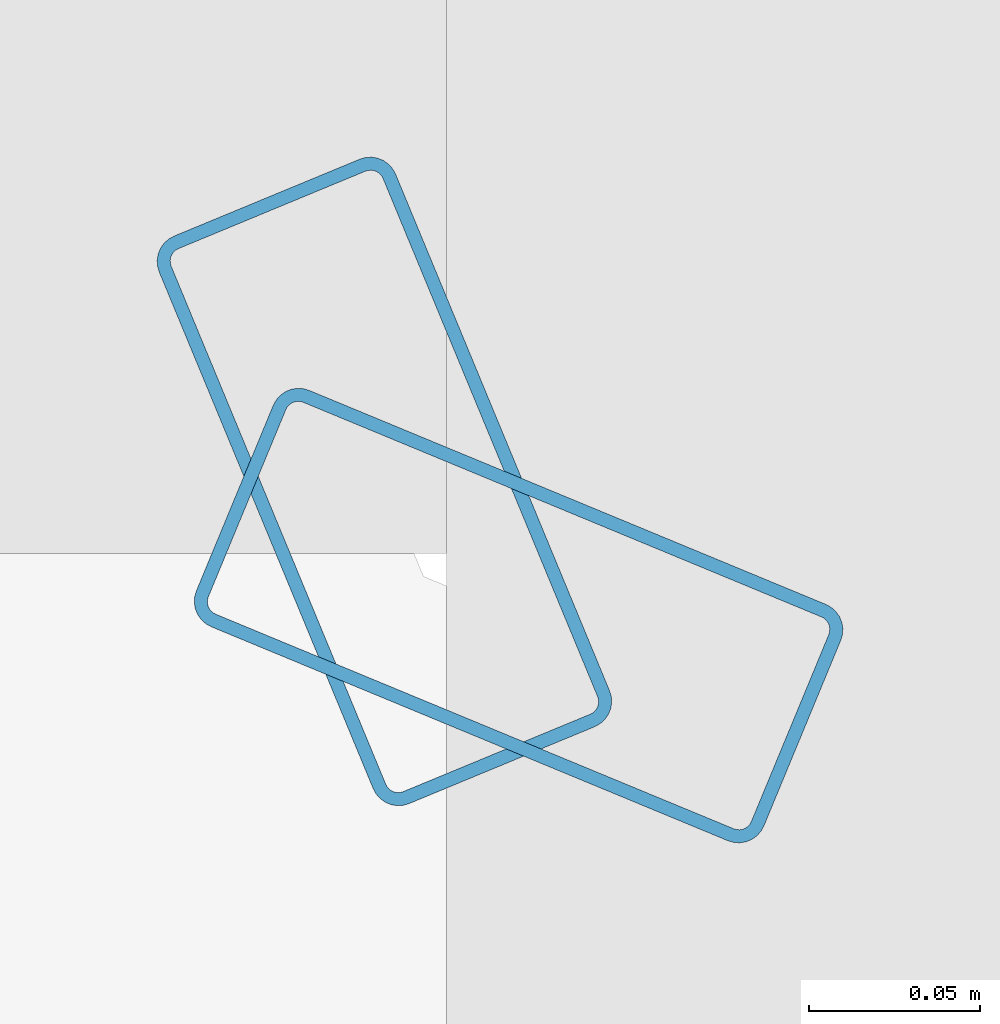
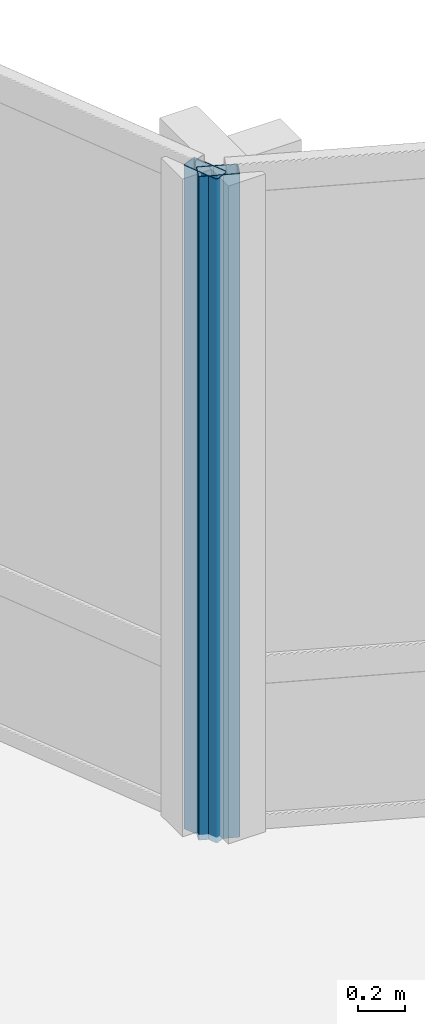
# One storey, part 8 of 27: 2 members, 2 elements without a shape of their own.
"""IFC4 building model written with IfcOpenShell, lengths in metres."""

from ifc_helpers import new_model, si_unit, direction, frame, origin, origin_2d, place, context, subcontext, project, spatial, hollow_rectangle, extrude, material, layer, layer_set, material_profile, profile_set, type_object, element, aggregate, save


model = new_model("IFC4")

# Units and contexts
model_context = context("Model", 3, precision=1e-05, world=origin(), true_north=direction((0.0, 1.0)))
body_context = subcontext(model_context, "Body", "Model", "MODEL_VIEW")
ifc_project = project(units=[si_unit("LENGTHUNIT", "METRE"), si_unit("AREAUNIT", "SQUARE_METRE"), si_unit("VOLUMEUNIT", "CUBIC_METRE"), si_unit("PLANEANGLEUNIT", "RADIAN"), si_unit("MASSUNIT", "GRAM", prefix="KILO")], contexts=[model_context])

# Site, building, storey
site_placement = place(None, origin())
site = spatial("IfcSite", under=ifc_project, at=site_placement, CompositionType="ELEMENT")
building_placement = place(site_placement, origin())
building = spatial("IfcBuilding", under=site, at=building_placement, Name="Solvaryn Broadcast Tower", CompositionType="ELEMENT")
storey_placement = place(building_placement, frame((0.0, 0.0, 228.39990234375)))
storey = spatial("IfcBuildingStorey", under=building, at=storey_placement, Name="L57", CompositionType="ELEMENT", Elevation=228.39990234375)

# Curtain wall, member
ifc_material_1 = material(Name="Aluminium and Terracotta Unitised Curtain Wall", Category="masonry")
ifc_layer = layer(ifc_material_1, 0.199951171875)
ifc_layer_set = layer_set([ifc_layer], Name="CW-SYS2-LOWMID")
curtain_wall_type = type_object("IfcCurtainWallType", Name="CW-SYS2-LOWMID", PredefinedType="NOTDEFINED", material=ifc_layer_set)
curtain_wall_1_placement = place(storey_placement, origin())
curtain_wall_1 = element("IfcCurtainWall", 1, at=curtain_wall_1_placement, inside=storey, type_object=curtain_wall_type, Name="L57 Curtain Wall CN1", PredefinedType="NOTDEFINED")
ifc_material_2 = material(Name="Anodised Aluminium 6063-T6", Category="aluminium")
ifc_material_profile = material_profile(ifc_material_2, hollow_rectangle(XDim=0.074951171875, YDim=0.179931640625, WallThickness=0.00390625, InnerFilletRadius=0.00390625, OuterFilletRadius=0.008056640625, at=origin_2d()))
ifc_profile_set = profile_set([ifc_material_profile], Name="Anodised Aluminium 6063-T6")
member_type = type_object("IfcMemberType", Name="CW-MUL-180", PredefinedType="MULLION", material=ifc_profile_set)
member_1_placement = place(storey_placement, frame((30.395751953125, 30.3564453125, 0.0), z_axis=(0.0, 0.0, 1.0), x_axis=(-0.382646127145, -0.923894983957, 0.0)))
member_1 = element("IfcMember", 2, at=member_1_placement, type_object=member_type, Name="CWS2 mullion 2", PredefinedType="MULLION", context=body_context, shape_type="SweptSolid", body=[
    extrude(hollow_rectangle(XDim=0.074951171875, YDim=0.179931640625, WallThickness=0.00390625, InnerFilletRadius=0.00390625, OuterFilletRadius=0.008056640625, at=origin_2d()), origin(), (0.0, 0.0, 1.0), 3.420166015625),
])
aggregate(curtain_wall_1, [member_1])

curtain_wall_2_placement = place(storey_placement, origin())
curtain_wall_2 = element("IfcCurtainWall", 3, at=curtain_wall_2_placement, inside=storey, type_object=curtain_wall_type, Name="L57 Curtain Wall CN2", PredefinedType="NOTDEFINED")
member_2_placement = place(storey_placement, frame((30.3564453125, 30.395751953125, 0.0), z_axis=(0.0, 0.0, 1.0), x_axis=(-0.923894983957, -0.382646127145, 0.0)))
member_2 = element("IfcMember", 4, at=member_2_placement, type_object=member_type, Name="CWS2 mullion 1", PredefinedType="MULLION", context=body_context, shape_type="SweptSolid", body=[
    extrude(hollow_rectangle(XDim=0.074951171875, YDim=0.179931640625, WallThickness=0.00390625, InnerFilletRadius=0.00390625, OuterFilletRadius=0.008056640625, at=origin_2d()), origin(), (0.0, 0.0, 1.0), 3.420166015625),
])
aggregate(curtain_wall_2, [member_2])

save(model, "model.ifc")
